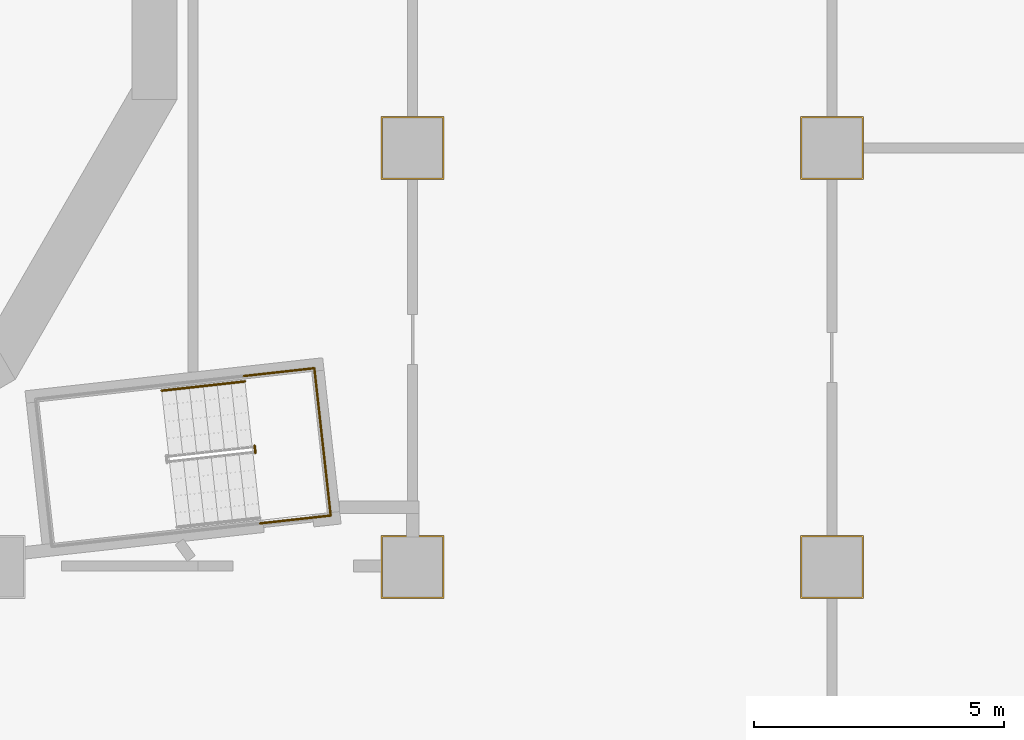
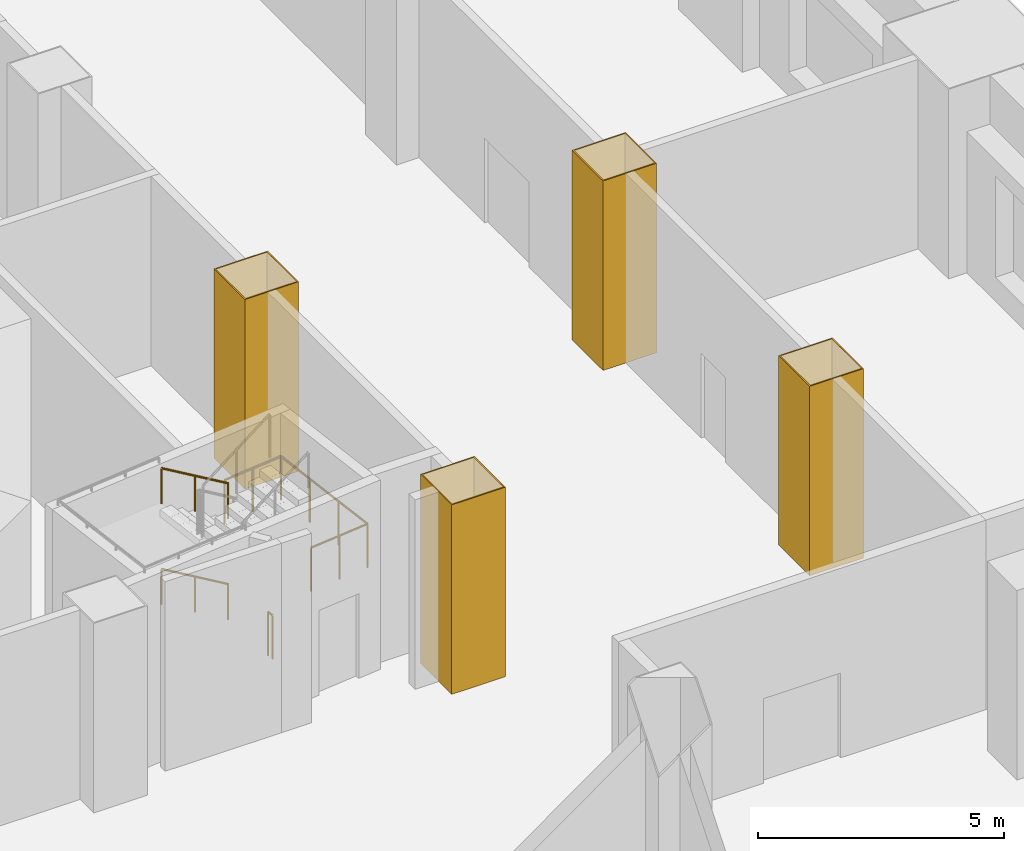
# One storey, part 11 of 17: 4 coverings, 4 railings.
"""IFC4 building model written with IfcOpenShell, lengths in metres."""

from ifc_helpers import new_model, si_unit, direction, frame, origin, origin_2d, place, context, subcontext, project, spatial, polyline, circle, outline, extrude, material, layer, layer_set, type_object, element, save


model = new_model("IFC4")

# Units and contexts
model_context = context("Model", 3, precision=1e-05, world=origin(), true_north=direction((0.0, 1.0)))
body_context = subcontext(model_context, "Body", "Model", "MODEL_VIEW")
ifc_project = project(units=[si_unit("LENGTHUNIT", "METRE"), si_unit("AREAUNIT", "SQUARE_METRE"), si_unit("VOLUMEUNIT", "CUBIC_METRE"), si_unit("PLANEANGLEUNIT", "RADIAN"), si_unit("MASSUNIT", "GRAM", prefix="KILO")], contexts=[model_context])

# Site, building, storey
site_placement = place(None, origin())
site = spatial("IfcSite", under=ifc_project, at=site_placement, CompositionType="ELEMENT")
building_placement = place(site_placement, origin())
building = spatial("IfcBuilding", under=site, at=building_placement, Name="Cantera Rosa Tower", CompositionType="ELEMENT")
storey_placement = place(building_placement, frame((0.0, 0.0, 27.0)))
storey = spatial("IfcBuildingStorey", under=building, at=storey_placement, Name="L04", CompositionType="ELEMENT", Elevation=27.0)

# Coverings
ifc_material_1 = material(Name="Plaster")
ifc_layer = layer(ifc_material_1, 0.030029296875)
ifc_layer_set = layer_set([ifc_layer], Name="Column casing 30")
covering_type = type_object("IfcCoveringType", Name="Column casing 30", PredefinedType="CLADDING", material=ifc_layer_set)
covering_1_placement = place(storey_placement, origin())
element("IfcCovering", 1, at=covering_1_placement, inside=storey, type_object=covering_type, Name="Column casing L04-026", PredefinedType="CLADDING", context=body_context, shape_type="SweptSolid", body=[
    extrude(outline(polyline([(16.169921875, -13.22998046875), (17.429931640625, -13.22998046875), (17.429931640625, -11.969970703125), (16.169921875, -11.969970703125), (16.169921875, -13.22998046875)]), holes=[polyline([(17.39990234375, -12.0), (16.199951171875, -12.0), (16.199951171875, -13.199951171875), (17.39990234375, -13.199951171875), (17.39990234375, -12.0)])]), origin(), (0.0, 0.0, 1.0), 4.699951171875),
])
covering_2_placement = place(storey_placement, origin())
element("IfcCovering", 2, at=covering_2_placement, inside=storey, type_object=covering_type, Name="Column casing L04-027", PredefinedType="CLADDING", context=body_context, shape_type="SweptSolid", body=[
    extrude(outline(polyline([(16.169921875, -4.830078125), (17.429931640625, -4.830078125), (17.429931640625, -3.570068359375), (16.169921875, -3.570068359375), (16.169921875, -4.830078125)]), holes=[polyline([(17.39990234375, -3.60009765625), (16.199951171875, -3.60009765625), (16.199951171875, -4.800048828125), (17.39990234375, -4.800048828125), (17.39990234375, -3.60009765625)])]), origin(), (0.0, 0.0, 1.0), 4.699951171875),
])
covering_3_placement = place(storey_placement, origin())
element("IfcCovering", 3, at=covering_3_placement, inside=storey, type_object=covering_type, Name="Column casing L04-032", PredefinedType="CLADDING", context=body_context, shape_type="SweptSolid", body=[
    extrude(outline(polyline([(24.570068359375, -13.22998046875), (25.830078125, -13.22998046875), (25.830078125, -11.969970703125), (24.570068359375, -11.969970703125), (24.570068359375, -13.22998046875)]), holes=[polyline([(25.800048828125, -12.0), (24.60009765625, -12.0), (24.60009765625, -13.199951171875), (25.800048828125, -13.199951171875), (25.800048828125, -12.0)])]), origin(), (0.0, 0.0, 1.0), 4.699951171875),
])
covering_4_placement = place(storey_placement, origin())
element("IfcCovering", 4, at=covering_4_placement, inside=storey, type_object=covering_type, Name="Column casing L04-033", PredefinedType="CLADDING", context=body_context, shape_type="SweptSolid", body=[
    extrude(outline(polyline([(24.570068359375, -4.830078125), (25.830078125, -4.830078125), (25.830078125, -3.570068359375), (24.570068359375, -3.570068359375), (24.570068359375, -4.830078125)]), holes=[polyline([(25.800048828125, -3.60009765625), (24.60009765625, -3.60009765625), (24.60009765625, -4.800048828125), (25.800048828125, -4.800048828125), (25.800048828125, -3.60009765625)])]), origin(), (0.0, 0.0, 1.0), 4.699951171875),
])

# Railings
ifc_material_2 = material(Name="Steel S355J2 (EN 10025-2)", Category="steel")
railing_type_1 = type_object("IfcRailingType", Name="STAIR GUARD 1100", PredefinedType="GUARDRAIL", material=ifc_material_2)
railing_1_placement = place(storey_placement, frame((13.6328125, -10.16552734375, 0.0)))
element("IfcRailing", 5, at=railing_1_placement, inside=storey, type_object=railing_type_1, Name="L04 ST-14 stair guard 5", PredefinedType="GUARDRAIL", context=body_context, shape_type="SweptSolid", body=[
    extrude(circle(Radius=0.02392578125, at=origin_2d()), frame((0.0, 0.0, 1.076171875), z_axis=(0.110610055588, -0.993863881828, 0.0), x_axis=(0.993863881828, 0.110610055588, 0.0)), (0.0, 0.0, 1.0), 0.150146484375),
    extrude(circle(Radius=0.02099609375, at=origin_2d()), origin(), (0.0, 0.0, 1.0), 1.052001953125),
    extrude(circle(Radius=0.02099609375, at=origin_2d()), frame((0.0166015625, -0.149169921875, 0.0)), (0.0, 0.0, 1.0), 1.052001953125),
])
railing_2_placement = place(storey_placement, frame((13.415771484375, -8.77099609375, 2.5)))
element("IfcRailing", 6, at=railing_2_placement, inside=storey, type_object=railing_type_1, Name="L04 ST-14 stair guard 8", PredefinedType="GUARDRAIL", context=body_context, shape_type="SweptSolid", body=[
    extrude(circle(Radius=0.02392578125, at=origin_2d()), frame((0.0, 0.0, 1.076171875), z_axis=(0.993887921413, 0.110393838913, 0.0), x_axis=(-0.110393838913, 0.993887921413, 0.0)), (0.0, 0.0, 1.0), 1.422119140625),
    extrude(circle(Radius=0.02392578125, at=origin_2d()), frame((1.413330078125, 0.156982421875, 1.076171875), z_axis=(0.110314237986, -0.993896759678, 0.0), x_axis=(0.993896759678, 0.110314237986, 0.0)), (0.0, 0.0, 1.0), 2.969970703125),
    extrude(circle(Radius=0.02392578125, at=origin_2d()), frame((1.740966796875, -2.794921875, 1.076171875), z_axis=(-0.993887921413, -0.110393838913, 0.0), x_axis=(0.110393838913, -0.993887921413, 0.0)), (0.0, 0.0, 1.0), 1.422119140625),
    extrude(circle(Radius=0.02099609375, at=origin_2d()), origin(), (0.0, 0.0, 1.0), 1.052001953125),
    extrude(circle(Radius=0.02099609375, at=origin_2d()), frame((0.70654296875, 0.07861328125, 0.0)), (0.0, 0.0, 1.0), 1.052001953125),
    extrude(circle(Radius=0.02099609375, at=origin_2d()), frame((1.413330078125, 0.156982421875, 0.0)), (0.0, 0.0, 1.0), 1.052001953125),
    extrude(circle(Radius=0.02099609375, at=origin_2d()), frame((1.5224609375, -0.826904296875, 0.0)), (0.0, 0.0, 1.0), 1.052001953125),
    extrude(circle(Radius=0.02099609375, at=origin_2d()), frame((1.6318359375, -1.81103515625, 0.0)), (0.0, 0.0, 1.0), 1.052001953125),
    extrude(circle(Radius=0.02099609375, at=origin_2d()), frame((1.740966796875, -2.794921875, 0.0)), (0.0, 0.0, 1.0), 1.052001953125),
    extrude(circle(Radius=0.02099609375, at=origin_2d()), frame((1.0341796875, -2.87353515625, 0.0)), (0.0, 0.0, 1.0), 1.052001953125),
    extrude(circle(Radius=0.02099609375, at=origin_2d()), frame((0.32763671875, -2.951904296875, 0.0)), (0.0, 0.0, 1.0), 1.052001953125),
])
ifc_material_3 = material(Name="Steel S355J2 (EN 10025-2)", Category="steel")
railing_type_2 = type_object("IfcRailingType", Name="STAIR HANDRAIL 900", PredefinedType="HANDRAIL", material=ifc_material_3)
for number, where, name in (
    (7, (13.439697265625, -8.87890625, 0.178466796875), "L04 ST-14 stair handrail 1"),
    (8, (13.439697265625, -8.87890625, 2.678466796875), "L04 ST-14 stair handrail 3"),
):
    element("IfcRailing", number, at=place(storey_placement, frame(where)), inside=storey, type_object=railing_type_2, Name=name, PredefinedType="HANDRAIL", context=body_context, shape_type="SweptSolid", body=[
        extrude(circle(Radius=0.02392578125, at=origin_2d()), frame((0.0, 0.0, 0.8759765625), z_axis=(-0.837950904326, -0.092996744609, 0.537763784046), x_axis=(0.110303920128, -0.993897904819, 0.0)), (0.0, 0.0, 1.0), 1.99267578125),
        extrude(circle(Radius=0.02099609375, at=origin_2d()), origin(), (0.0, 0.0, 1.0), 0.851806640625),
        extrude(circle(Radius=0.02099609375, at=origin_2d()), frame((-0.8349609375, -0.0927734375, 0.53564453125)), (0.0, 0.0, 1.0), 0.851806640625),
        extrude(circle(Radius=0.02099609375, at=origin_2d()), frame((-1.669677734375, -0.185302734375, 1.071533203125)), (0.0, 0.0, 1.0), 0.851806640625),
    ])

save(model, "model.ifc")
